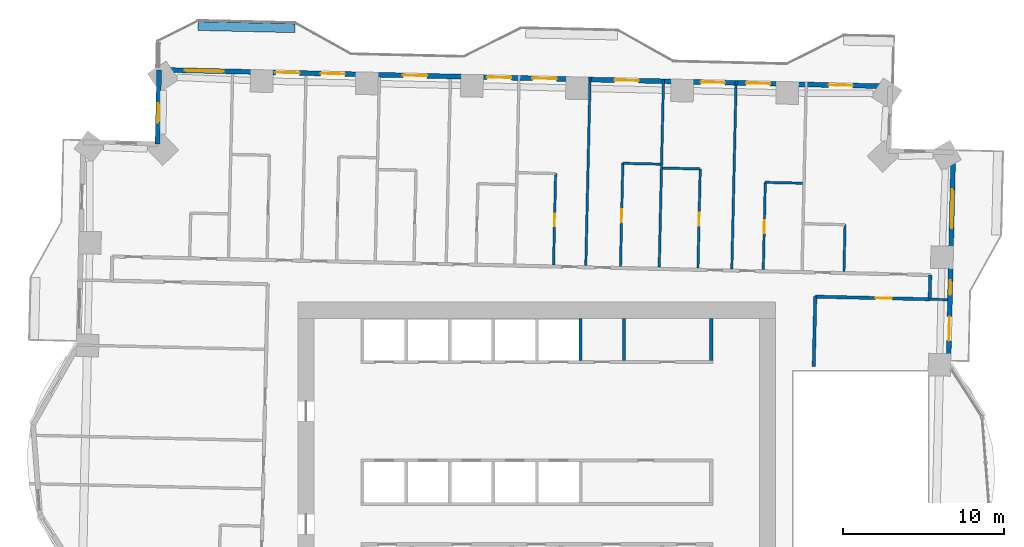
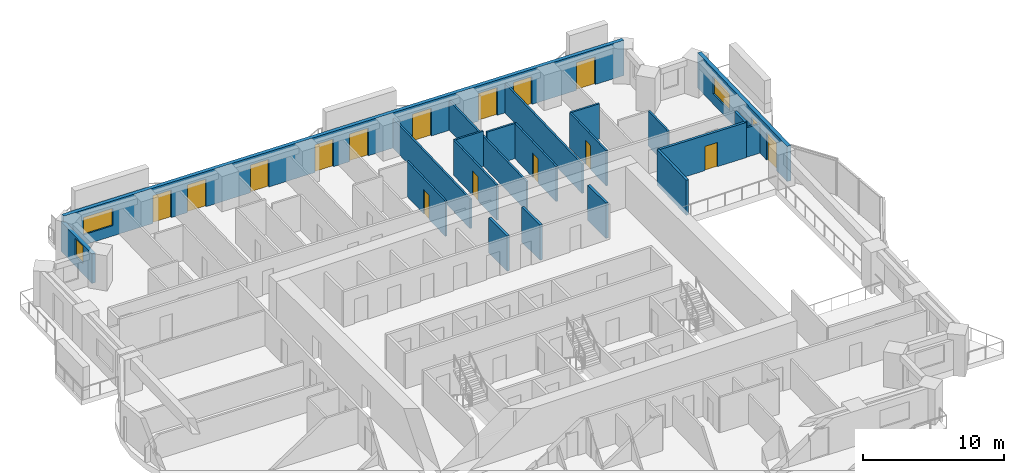
# One storey, part 11 of 16: 22 walls, 15 doors, 4 windows, 19 openings.
"""IFC4 building model written with IfcOpenShell, lengths in metres."""

from ifc_helpers import new_model, si_unit, direction, frame, frame_2d, origin, place, context, subcontext, project, spatial, rectangle, extrude, material, layer, layer_set, type_object, element, fill, save


model = new_model("IFC4")

# Units and contexts
model_context = context("Model", 3, precision=1e-05, world=origin(), true_north=direction((0.0, 1.0)))
body_context = subcontext(model_context, "Body", "Model", "MODEL_VIEW")
ifc_project = project(units=[si_unit("LENGTHUNIT", "METRE"), si_unit("AREAUNIT", "SQUARE_METRE"), si_unit("VOLUMEUNIT", "CUBIC_METRE"), si_unit("PLANEANGLEUNIT", "RADIAN"), si_unit("MASSUNIT", "GRAM", prefix="KILO")], contexts=[model_context])

# Site, building, storey
site_placement = place(None, origin())
site = spatial("IfcSite", under=ifc_project, at=site_placement, CompositionType="ELEMENT")
building_placement = place(site_placement, origin())
building = spatial("IfcBuilding", under=site, at=building_placement, Name="Mangrove Gate Tower", CompositionType="ELEMENT")
storey_placement = place(building_placement, frame((0.0, 0.0, 101.89990234375)))
storey = spatial("IfcBuildingStorey", under=building, at=storey_placement, Name="L25", CompositionType="ELEMENT", Elevation=101.89990234375)

# Walls
ifc_material_1 = material(Name="Concrete C32/40", Category="concrete")
ifc_layer_1 = layer(ifc_material_1, 0.199951171875)
ifc_layer_set_1 = layer_set([ifc_layer_1], Name="Core room wall 200 C32/40")
wall_type_1 = type_object("IfcWallType", Name="Core room wall 200 C32/40", PredefinedType="STANDARD", material=ifc_layer_set_1)
for number, where, z_axis, x_axis, name in (
    (1, (5.39990234375, 8.199951171875, 0.0), (0.0, 0.0, 1.0), (0.0, 1.0, 0.0), "WALL-L25-CORE-32"),
    (2, (10.800048828125, 8.199951171875, 0.0), (0.0, 0.0, 1.0), (0.0, 1.0, 0.0), "WALL-L25-CORE-33"),
):
    element("IfcWall", number, at=place(storey_placement, frame(where, z_axis=z_axis, x_axis=x_axis)), inside=storey, type_object=wall_type_1, Name=name, PredefinedType="STANDARD", context=body_context, shape_type="SweptSolid", body=[
        extrude(rectangle(XDim=2.60009765625, YDim=0.199951171875, at=frame_2d((1.300048828125, 0.0))), origin(), (0.0, 0.0, 1.0), 3.050048828125),
    ])
ifc_material_2 = material(Name="Concrete C70/85", Category="concrete")
ifc_layer_2 = layer(ifc_material_2, 0.199951171875)
ifc_layer_set_2 = layer_set([ifc_layer_2], Name="Core shaft wall 200 C70/85")
wall_type_2 = type_object("IfcWallType", Name="Core shaft wall 200 C70/85", PredefinedType="SHEAR", material=ifc_layer_set_2)
wall_1_placement = place(storey_placement, frame((2.699951171875, 8.199951171875, 0.0), z_axis=(0.0, 0.0, 1.0), x_axis=(0.0, 1.0, 0.0)))
element("IfcWall", 3, at=wall_1_placement, inside=storey, type_object=wall_type_2, Name="WALL-L25-CORE-31", PredefinedType="SHEAR", context=body_context, shape_type="SweptSolid", body=[
    extrude(rectangle(XDim=2.60009765625, YDim=0.199951171875, at=frame_2d((1.300048828125, 0.0))), origin(), (0.0, 0.0, 1.0), 3.050048828125),
])
ifc_material_3 = material(Name="Gypsum board on steel stud, EI 60", Category="steel")
ifc_layer_3 = layer(ifc_material_3, 0.199951171875)
ifc_layer_set_3 = layer_set([ifc_layer_3], Name="Corridor wall EI 60")
wall_type_3 = type_object("IfcWallType", Name="Corridor wall EI 60", PredefinedType="PARTITIONING", material=ifc_layer_set_3)
wall_2_placement = place(storey_placement, frame((17.155029296875, 7.81396484375, 0.0), z_axis=(0.0, 0.0, 1.0), x_axis=(0.022578158225, 0.999745080894, 0.0)))
element("IfcWall", 4, at=wall_2_placement, inside=storey, type_object=wall_type_3, Name="WALL-L25-037", PredefinedType="PARTITIONING", context=body_context, shape_type="SweptSolid", body=[
    extrude(rectangle(XDim=4.336181640625, YDim=0.199951171875, at=frame_2d((2.16796875, 0.0))), origin(), (0.0, 0.0, 1.0), 3.050048828125),
])

# Wall, opening, door
wall_3_placement = place(storey_placement, frame((17.248046875, 12.14501953125, 0.0), z_axis=(0.0, 0.0, 1.0), x_axis=(0.999742350192, -0.022698749566, 0.0)))
wall_3 = element("IfcWall", 5, at=wall_3_placement, inside=storey, type_object=wall_type_3, Name="WALL-L25-041", PredefinedType="PARTITIONING", context=body_context, shape_type="SweptSolid", body=[
    extrude(rectangle(XDim=7.0986328125, YDim=0.199951171875, at=frame_2d((3.54931640625, 0.0))), origin(), (0.0, 0.0, 1.0), 3.050048828125),
])
opening_1_placement = place(wall_3_placement, frame((3.75, 0.0, 0.0)))
opening_1 = element("IfcOpeningElement", 6, at=opening_1_placement, cuts=wall_3, Name="Opening AD", PredefinedType="OPENING", context=body_context, shape_type="SweptSolid", body=[
    extrude(rectangle(XDim=1.0, YDim=2.10009765625, at=frame_2d((0.5, 1.050048828125))), frame((0.0, 0.10986328125, 0.0), z_axis=(0.0, -1.0, 0.0), x_axis=(1.0, 0.0, 0.0)), (0.0, 0.0, 1.0), 0.219970703125),
])
ifc_material_4 = material(Name="Timber door leaf", Category="wood")
door_type_1 = type_object("IfcDoorType", Name="Amenity door 1000", OperationType="SINGLE_SWING_LEFT", PredefinedType="DOOR", material=ifc_material_4)
door_1_placement = place(opening_1_placement, origin())
door_1 = element("IfcDoor", 7, at=door_1_placement, inside=storey, type_object=door_type_1, Name="DOOR-L25-GAM-c3a", OperationType="SINGLE_SWING_RIGHT", OverallHeight=2.10009765625, OverallWidth=1.0, PredefinedType="DOOR", context=body_context, shape_type="SweptSolid", body=[
    extrude(rectangle(XDim=1.0, YDim=2.10009765625, at=frame_2d((0.5, 1.050048828125))), frame((0.0, 0.02490234375, 0.0), z_axis=(0.0, -1.0, 0.0), x_axis=(1.0, 0.0, 0.0)), (0.0, 0.0, 1.0), 0.050048828125),
])
fill(opening_1, door_1)

# Wall
wall_4_placement = place(storey_placement, frame((24.341064453125, 11.988037109375, 0.0), z_axis=(0.0, 0.0, 1.0), x_axis=(0.022617910375, 0.999744182344, 0.0)))
element("IfcWall", 8, at=wall_4_placement, inside=storey, type_object=wall_type_3, Name="WALL-L25-044", PredefinedType="PARTITIONING", context=body_context, shape_type="SweptSolid", body=[
    extrude(rectangle(XDim=1.50048828125, YDim=0.199951171875, at=frame_2d((0.750244140625, 0.0))), origin(), (0.0, 0.0, 1.0), 3.050048828125),
])

# Wall, openings, door, windows
ifc_material_5 = material(Name="Limestone", Category="masonry")
ifc_layer_4 = layer(ifc_material_5, 0.0400390625, Name="Limestone cladding")
ifc_material_6 = material(Name="Ventilated air gap")
ifc_layer_5 = layer(ifc_material_6, 0.0400390625, Name="Ventilated cavity")
ifc_material_7 = material(Name="Mineral wool insulation")
ifc_layer_6 = layer(ifc_material_7, 0.06005859375, Name="Insulation")
ifc_material_8 = material(Name="Breather membrane")
ifc_layer_7 = layer(ifc_material_8, 0.001953125, Name="Breather membrane")
ifc_material_9 = material(Name="Concrete C20/25 blockwork", Category="masonry")
ifc_layer_8 = layer(ifc_material_9, 0.14990234375, Name="Blockwork backing wall")
ifc_material_10 = material(Name="Gypsum plaster")
ifc_layer_9 = layer(ifc_material_10, 0.008056640625, Name="Internal plaster")
ifc_layer_set_4 = layer_set([ifc_layer_4, ifc_layer_5, ifc_layer_6, ifc_layer_7, ifc_layer_8, ifc_layer_9], Name="External wall 300 limestone cladding")
wall_type_4 = type_object("IfcWallType", Name="External wall 300 limestone cladding", PredefinedType="SOLIDWALL", material=ifc_layer_set_4)
wall_5_placement = place(storey_placement, frame((25.501953125, 7.85693359375, 0.0), z_axis=(0.0, 0.0, 1.0), x_axis=(0.022680323815, 0.999742768372, 0.0)))
wall_5 = element("IfcWall", 9, at=wall_5_placement, inside=storey, type_object=wall_type_4, Name="WALL-L25-E2", PredefinedType="SOLIDWALL", context=body_context, shape_type="SweptSolid", body=[
    extrude(rectangle(XDim=13.2294921875, YDim=0.300048828125, at=frame_2d((6.61474609375, 0.0))), origin(), (0.0, 0.0, 1.0), 3.050048828125),
])
opening_2_placement = place(wall_5_placement, frame((1.553955078125, 0.0, 0.0)))
opening_2 = element("IfcOpeningElement", 10, at=opening_2_placement, cuts=wall_5, Name="Opening BD1", PredefinedType="OPENING", context=body_context, shape_type="SweptSolid", body=[
    extrude(rectangle(XDim=1.5, YDim=2.39990234375, at=frame_2d((0.75, 1.199951171875))), frame((0.0, 0.159912109375, 0.0), z_axis=(0.0, -1.0, 0.0), x_axis=(1.0, 0.0, 0.0)), (0.0, 0.0, 1.0), 0.320068359375),
])
opening_3_placement = place(wall_5_placement, frame((4.403076171875, 0.0, 0.89990234375)))
opening_3 = element("IfcOpeningElement", 11, at=opening_3_placement, cuts=wall_5, Name="Opening W5", PredefinedType="OPENING", context=body_context, shape_type="SweptSolid", body=[
    extrude(rectangle(XDim=0.89990234375, YDim=1.5, at=frame_2d((0.449951171875, 0.75))), frame((0.0, 0.159912109375, 0.0), z_axis=(0.0, -1.0, 0.0), x_axis=(1.0, 0.0, 0.0)), (0.0, 0.0, 1.0), 0.320068359375),
])
opening_4_placement = place(wall_5_placement, frame((8.5380859375, 0.0, 0.89990234375)))
opening_4 = element("IfcOpeningElement", 12, at=opening_4_placement, cuts=wall_5, Name="Opening W2", PredefinedType="OPENING", context=body_context, shape_type="SweptSolid", body=[
    extrude(rectangle(XDim=2.39990234375, YDim=1.5, at=frame_2d((1.199951171875, 0.75))), frame((0.0, 0.159912109375, 0.0), z_axis=(0.0, -1.0, 0.0), x_axis=(1.0, 0.0, 0.0)), (0.0, 0.0, 1.0), 0.320068359375),
])
ifc_material_11 = material(Name="Aluminium frame with laminated clear glass", Category="aluminium")
door_type_2 = type_object("IfcDoorType", Name="Balcony sliding door 1500x2400", OperationType="SLIDING_TO_LEFT", PredefinedType="DOOR", material=ifc_material_11)
door_2_placement = place(opening_2_placement, origin())
door_2 = element("IfcDoor", 13, at=door_2_placement, inside=storey, type_object=door_type_2, Name="DOOR-L25-E2-1", OperationType="SLIDING_TO_LEFT", OverallHeight=2.39990234375, OverallWidth=1.5, PredefinedType="DOOR", context=body_context, shape_type="SweptSolid", body=[
    extrude(rectangle(XDim=1.5, YDim=2.39990234375, at=frame_2d((0.75, 1.199951171875))), frame((0.0, 0.02490234375, 0.0), z_axis=(0.0, -1.0, 0.0), x_axis=(1.0, 0.0, 0.0)), (0.0, 0.0, 1.0), 0.050048828125),
])
fill(opening_2, door_2)
ifc_material_12 = material(Name="Aluminium frame with double-glazed low-e glass", Category="aluminium")
window_type_1 = type_object("IfcWindowType", Name="Corner room window 2400x1500", PartitioningType="DOUBLE_PANEL_VERTICAL", PredefinedType="WINDOW", material=ifc_material_12)
window_1_placement = place(opening_4_placement, origin())
window_1 = element("IfcWindow", 14, at=window_1_placement, inside=storey, type_object=window_type_1, Name="WIN-L25-E2-3", OverallHeight=1.5, OverallWidth=2.39990234375, PartitioningType="DOUBLE_PANEL_VERTICAL", PredefinedType="WINDOW", context=body_context, shape_type="SweptSolid", body=[
    extrude(rectangle(XDim=2.39990234375, YDim=1.5, at=frame_2d((1.199951171875, 0.75))), frame((0.0, 0.030029296875, 0.0), z_axis=(0.0, -1.0, 0.0), x_axis=(1.0, 0.0, 0.0)), (0.0, 0.0, 1.0), 0.06005859375),
])
fill(opening_4, window_1)
ifc_material_13 = material(Name="Aluminium frame with double-glazed low-e glass", Category="aluminium")
window_type_2 = type_object("IfcWindowType", Name="Narrow window 900x1500", PartitioningType="SINGLE_PANEL", PredefinedType="WINDOW", material=ifc_material_13)
window_2_placement = place(opening_3_placement, origin())
window_2 = element("IfcWindow", 15, at=window_2_placement, inside=storey, type_object=window_type_2, Name="WIN-L25-E2-2", OverallHeight=1.5, OverallWidth=0.89990234375, PartitioningType="SINGLE_PANEL", PredefinedType="WINDOW", context=body_context, shape_type="SweptSolid", body=[
    extrude(rectangle(XDim=0.89990234375, YDim=1.5, at=frame_2d((0.449951171875, 0.75))), frame((0.0, 0.030029296875, 0.0), z_axis=(0.0, -1.0, 0.0), x_axis=(1.0, 0.0, 0.0)), (0.0, 0.0, 1.0), 0.06005859375),
])
fill(opening_3, window_2)

# Wall, openings, doors, window
wall_6_placement = place(storey_placement, frame((21.89404296875, 25.173095703125, 0.0), z_axis=(0.0, 0.0, 1.0), x_axis=(-0.999742661083, 0.022685052594, 0.0)))
wall_6 = element("IfcWall", 16, at=wall_6_placement, inside=storey, type_object=wall_type_4, Name="WALL-L25-N5", PredefinedType="SOLIDWALL", context=body_context, shape_type="SweptSolid", body=[
    extrude(rectangle(XDim=45.308837890625, YDim=0.300048828125, at=frame_2d((22.654296875, 0.0))), origin(), (0.0, 0.0, 1.0), 3.050048828125),
])
opening_5_placement = place(wall_6_placement, frame((2.319091796875, 0.0, 0.0)))
opening_5 = element("IfcOpeningElement", 17, at=opening_5_placement, cuts=wall_6, Name="Opening BD1", PredefinedType="OPENING", context=body_context, shape_type="SweptSolid", body=[
    extrude(rectangle(XDim=1.5, YDim=2.39990234375, at=frame_2d((0.75, 1.199951171875))), frame((0.0, 0.159912109375, 0.0), z_axis=(0.0, -1.0, 0.0), x_axis=(1.0, 0.0, 0.0)), (0.0, 0.0, 1.0), 0.320068359375),
])
opening_6_placement = place(wall_6_placement, frame((7.43701171875, 0.0, 0.0)))
opening_6 = element("IfcOpeningElement", 18, at=opening_6_placement, cuts=wall_6, Name="Opening BD1", PredefinedType="OPENING", context=body_context, shape_type="SweptSolid", body=[
    extrude(rectangle(XDim=1.5, YDim=2.39990234375, at=frame_2d((0.75, 1.199951171875))), frame((0.0, 0.159912109375, 0.0), z_axis=(0.0, -1.0, 0.0), x_axis=(1.0, 0.0, 0.0)), (0.0, 0.0, 1.0), 0.320068359375),
])
opening_7_placement = place(wall_6_placement, frame((10.243896484375, 0.0, 0.0)))
opening_7 = element("IfcOpeningElement", 19, at=opening_7_placement, cuts=wall_6, Name="Opening BD1", PredefinedType="OPENING", context=body_context, shape_type="SweptSolid", body=[
    extrude(rectangle(XDim=1.5, YDim=2.39990234375, at=frame_2d((0.75, 1.199951171875))), frame((0.0, 0.159912109375, 0.0), z_axis=(0.0, -1.0, 0.0), x_axis=(1.0, 0.0, 0.0)), (0.0, 0.0, 1.0), 0.320068359375),
])
opening_8_placement = place(wall_6_placement, frame((15.5830078125, 0.0, 0.0)))
opening_8 = element("IfcOpeningElement", 20, at=opening_8_placement, cuts=wall_6, Name="Opening BD1", PredefinedType="OPENING", context=body_context, shape_type="SweptSolid", body=[
    extrude(rectangle(XDim=1.5, YDim=2.39990234375, at=frame_2d((0.75, 1.199951171875))), frame((0.0, 0.159912109375, 0.0), z_axis=(0.0, -1.0, 0.0), x_axis=(1.0, 0.0, 0.0)), (0.0, 0.0, 1.0), 0.320068359375),
])
opening_9_placement = place(wall_6_placement, frame((20.677001953125, 0.0, 0.0)))
opening_9 = element("IfcOpeningElement", 21, at=opening_9_placement, cuts=wall_6, Name="Opening BD1", PredefinedType="OPENING", context=body_context, shape_type="SweptSolid", body=[
    extrude(rectangle(XDim=1.5, YDim=2.39990234375, at=frame_2d((0.75, 1.199951171875))), frame((0.0, 0.159912109375, 0.0), z_axis=(0.0, -1.0, 0.0), x_axis=(1.0, 0.0, 0.0)), (0.0, 0.0, 1.0), 0.320068359375),
])
opening_10_placement = place(wall_6_placement, frame((23.485107421875, 0.0, 0.0)))
opening_10 = element("IfcOpeningElement", 22, at=opening_10_placement, cuts=wall_6, Name="Opening BD1", PredefinedType="OPENING", context=body_context, shape_type="SweptSolid", body=[
    extrude(rectangle(XDim=1.5, YDim=2.39990234375, at=frame_2d((0.75, 1.199951171875))), frame((0.0, 0.159912109375, 0.0), z_axis=(0.0, -1.0, 0.0), x_axis=(1.0, 0.0, 0.0)), (0.0, 0.0, 1.0), 0.320068359375),
])
opening_11_placement = place(wall_6_placement, frame((28.7080078125, 0.0, 0.0)))
opening_11 = element("IfcOpeningElement", 23, at=opening_11_placement, cuts=wall_6, Name="Opening BD1", PredefinedType="OPENING", context=body_context, shape_type="SweptSolid", body=[
    extrude(rectangle(XDim=1.5, YDim=2.39990234375, at=frame_2d((0.75, 1.199951171875))), frame((0.0, 0.159912109375, 0.0), z_axis=(0.0, -1.0, 0.0), x_axis=(1.0, 0.0, 0.0)), (0.0, 0.0, 1.0), 0.320068359375),
])
opening_12_placement = place(wall_6_placement, frame((33.79296875, 0.0, 0.0)))
opening_12 = element("IfcOpeningElement", 24, at=opening_12_placement, cuts=wall_6, Name="Opening BD1", PredefinedType="OPENING", context=body_context, shape_type="SweptSolid", body=[
    extrude(rectangle(XDim=1.5, YDim=2.39990234375, at=frame_2d((0.75, 1.199951171875))), frame((0.0, 0.159912109375, 0.0), z_axis=(0.0, -1.0, 0.0), x_axis=(1.0, 0.0, 0.0)), (0.0, 0.0, 1.0), 0.320068359375),
])
opening_13_placement = place(wall_6_placement, frame((36.60009765625, 0.0, 0.0)))
opening_13 = element("IfcOpeningElement", 25, at=opening_13_placement, cuts=wall_6, Name="Opening BD1", PredefinedType="OPENING", context=body_context, shape_type="SweptSolid", body=[
    extrude(rectangle(XDim=1.5, YDim=2.39990234375, at=frame_2d((0.75, 1.199951171875))), frame((0.0, 0.159912109375, 0.0), z_axis=(0.0, -1.0, 0.0), x_axis=(1.0, 0.0, 0.0)), (0.0, 0.0, 1.0), 0.320068359375),
])
opening_14_placement = place(wall_6_placement, frame((41.318115234375, 0.0, 0.89990234375)))
opening_14 = element("IfcOpeningElement", 26, at=opening_14_placement, cuts=wall_6, Name="Opening W2", PredefinedType="OPENING", context=body_context, shape_type="SweptSolid", body=[
    extrude(rectangle(XDim=2.39990234375, YDim=1.5, at=frame_2d((1.199951171875, 0.75))), frame((0.0, 0.159912109375, 0.0), z_axis=(0.0, -1.0, 0.0), x_axis=(1.0, 0.0, 0.0)), (0.0, 0.0, 1.0), 0.320068359375),
])
door_3_placement = place(opening_5_placement, origin())
door_3 = element("IfcDoor", 27, at=door_3_placement, inside=storey, type_object=door_type_2, Name="DOOR-L25-N5-1", OperationType="SLIDING_TO_LEFT", OverallHeight=2.39990234375, OverallWidth=1.5, PredefinedType="DOOR", context=body_context, shape_type="SweptSolid", body=[
    extrude(rectangle(XDim=1.5, YDim=2.39990234375, at=frame_2d((0.75, 1.199951171875))), frame((0.0, 0.02490234375, 0.0), z_axis=(0.0, -1.0, 0.0), x_axis=(1.0, 0.0, 0.0)), (0.0, 0.0, 1.0), 0.050048828125),
])
fill(opening_5, door_3)
door_4_placement = place(opening_6_placement, origin())
door_4 = element("IfcDoor", 28, at=door_4_placement, inside=storey, type_object=door_type_2, Name="DOOR-L25-N5-2", OperationType="SLIDING_TO_LEFT", OverallHeight=2.39990234375, OverallWidth=1.5, PredefinedType="DOOR", context=body_context, shape_type="SweptSolid", body=[
    extrude(rectangle(XDim=1.5, YDim=2.39990234375, at=frame_2d((0.75, 1.199951171875))), frame((0.0, 0.02490234375, 0.0), z_axis=(0.0, -1.0, 0.0), x_axis=(1.0, 0.0, 0.0)), (0.0, 0.0, 1.0), 0.050048828125),
])
fill(opening_6, door_4)
door_5_placement = place(opening_7_placement, origin())
door_5 = element("IfcDoor", 29, at=door_5_placement, inside=storey, type_object=door_type_2, Name="DOOR-L25-N5-3", OperationType="SLIDING_TO_LEFT", OverallHeight=2.39990234375, OverallWidth=1.5, PredefinedType="DOOR", context=body_context, shape_type="SweptSolid", body=[
    extrude(rectangle(XDim=1.5, YDim=2.39990234375, at=frame_2d((0.75, 1.199951171875))), frame((0.0, 0.02490234375, 0.0), z_axis=(0.0, -1.0, 0.0), x_axis=(1.0, 0.0, 0.0)), (0.0, 0.0, 1.0), 0.050048828125),
])
fill(opening_7, door_5)
door_6_placement = place(opening_8_placement, origin())
door_6 = element("IfcDoor", 30, at=door_6_placement, inside=storey, type_object=door_type_2, Name="DOOR-L25-N5-4", OperationType="SLIDING_TO_LEFT", OverallHeight=2.39990234375, OverallWidth=1.5, PredefinedType="DOOR", context=body_context, shape_type="SweptSolid", body=[
    extrude(rectangle(XDim=1.5, YDim=2.39990234375, at=frame_2d((0.75, 1.199951171875))), frame((0.0, 0.02490234375, 0.0), z_axis=(0.0, -1.0, 0.0), x_axis=(1.0, 0.0, 0.0)), (0.0, 0.0, 1.0), 0.050048828125),
])
fill(opening_8, door_6)
door_7_placement = place(opening_9_placement, origin())
door_7 = element("IfcDoor", 31, at=door_7_placement, inside=storey, type_object=door_type_2, Name="DOOR-L25-N5-5", OperationType="SLIDING_TO_LEFT", OverallHeight=2.39990234375, OverallWidth=1.5, PredefinedType="DOOR", context=body_context, shape_type="SweptSolid", body=[
    extrude(rectangle(XDim=1.5, YDim=2.39990234375, at=frame_2d((0.75, 1.199951171875))), frame((0.0, 0.02490234375, 0.0), z_axis=(0.0, -1.0, 0.0), x_axis=(1.0, 0.0, 0.0)), (0.0, 0.0, 1.0), 0.050048828125),
])
fill(opening_9, door_7)
door_8_placement = place(opening_10_placement, origin())
door_8 = element("IfcDoor", 32, at=door_8_placement, inside=storey, type_object=door_type_2, Name="DOOR-L25-N5-6", OperationType="SLIDING_TO_LEFT", OverallHeight=2.39990234375, OverallWidth=1.5, PredefinedType="DOOR", context=body_context, shape_type="SweptSolid", body=[
    extrude(rectangle(XDim=1.5, YDim=2.39990234375, at=frame_2d((0.75, 1.199951171875))), frame((0.0, 0.02490234375, 0.0), z_axis=(0.0, -1.0, 0.0), x_axis=(1.0, 0.0, 0.0)), (0.0, 0.0, 1.0), 0.050048828125),
])
fill(opening_10, door_8)
door_9_placement = place(opening_11_placement, origin())
door_9 = element("IfcDoor", 33, at=door_9_placement, inside=storey, type_object=door_type_2, Name="DOOR-L25-N5-7", OperationType="SLIDING_TO_LEFT", OverallHeight=2.39990234375, OverallWidth=1.5, PredefinedType="DOOR", context=body_context, shape_type="SweptSolid", body=[
    extrude(rectangle(XDim=1.5, YDim=2.39990234375, at=frame_2d((0.75, 1.199951171875))), frame((0.0, 0.02490234375, 0.0), z_axis=(0.0, -1.0, 0.0), x_axis=(1.0, 0.0, 0.0)), (0.0, 0.0, 1.0), 0.050048828125),
])
fill(opening_11, door_9)
door_10_placement = place(opening_12_placement, origin())
door_10 = element("IfcDoor", 34, at=door_10_placement, inside=storey, type_object=door_type_2, Name="DOOR-L25-N5-8", OperationType="SLIDING_TO_LEFT", OverallHeight=2.39990234375, OverallWidth=1.5, PredefinedType="DOOR", context=body_context, shape_type="SweptSolid", body=[
    extrude(rectangle(XDim=1.5, YDim=2.39990234375, at=frame_2d((0.75, 1.199951171875))), frame((0.0, 0.02490234375, 0.0), z_axis=(0.0, -1.0, 0.0), x_axis=(1.0, 0.0, 0.0)), (0.0, 0.0, 1.0), 0.050048828125),
])
fill(opening_12, door_10)
door_11_placement = place(opening_13_placement, origin())
door_11 = element("IfcDoor", 35, at=door_11_placement, inside=storey, type_object=door_type_2, Name="DOOR-L25-N5-9", OperationType="SLIDING_TO_LEFT", OverallHeight=2.39990234375, OverallWidth=1.5, PredefinedType="DOOR", context=body_context, shape_type="SweptSolid", body=[
    extrude(rectangle(XDim=1.5, YDim=2.39990234375, at=frame_2d((0.75, 1.199951171875))), frame((0.0, 0.02490234375, 0.0), z_axis=(0.0, -1.0, 0.0), x_axis=(1.0, 0.0, 0.0)), (0.0, 0.0, 1.0), 0.050048828125),
])
fill(opening_13, door_11)
window_3_placement = place(opening_14_placement, origin())
window_3 = element("IfcWindow", 36, at=window_3_placement, inside=storey, type_object=window_type_1, Name="WIN-L25-N5-10", OverallHeight=1.5, OverallWidth=2.39990234375, PartitioningType="DOUBLE_PANEL_VERTICAL", PredefinedType="WINDOW", context=body_context, shape_type="SweptSolid", body=[
    extrude(rectangle(XDim=2.39990234375, YDim=1.5, at=frame_2d((1.199951171875, 0.75))), frame((0.0, 0.030029296875, 0.0), z_axis=(0.0, -1.0, 0.0), x_axis=(1.0, 0.0, 0.0)), (0.0, 0.0, 1.0), 0.06005859375),
])
fill(opening_14, window_3)

# Wall, opening, window
wall_7_placement = place(storey_placement, frame((-23.403076171875, 26.200927734375, 0.0), z_axis=(0.0, 0.0, 1.0), x_axis=(-0.022609285172, -0.999744377441, 0.0)))
wall_7 = element("IfcWall", 37, at=wall_7_placement, inside=storey, type_object=wall_type_4, Name="WALL-L25-W6", PredefinedType="SOLIDWALL", context=body_context, shape_type="SweptSolid", body=[
    extrude(rectangle(XDim=4.60009765625, YDim=0.300048828125, at=frame_2d((2.300048828125, 0.0))), origin(), (0.0, 0.0, 1.0), 2.550048828125),
])
opening_15_placement = place(wall_7_placement, frame((2.075927734375, 0.0, 0.89990234375)))
opening_15 = element("IfcOpeningElement", 38, at=opening_15_placement, cuts=wall_7, Name="Opening W1", PredefinedType="OPENING", context=body_context, shape_type="SweptSolid", body=[
    extrude(rectangle(XDim=1.199951171875, YDim=1.5, at=frame_2d((0.60009765625, 0.75))), frame((0.0, 0.159912109375, 0.0), z_axis=(0.0, -1.0, 0.0), x_axis=(1.0, 0.0, 0.0)), (0.0, 0.0, 1.0), 0.320068359375),
])
ifc_material_14 = material(Name="Aluminium frame with double-glazed low-e glass", Category="aluminium")
window_type_3 = type_object("IfcWindowType", Name="Side lite 1200x1500", PartitioningType="SINGLE_PANEL", PredefinedType="WINDOW", material=ifc_material_14)
window_4_placement = place(opening_15_placement, origin())
window_4 = element("IfcWindow", 39, at=window_4_placement, inside=storey, type_object=window_type_3, Name="WIN-L25-W6-1", OverallHeight=1.5, OverallWidth=1.199951171875, PartitioningType="SINGLE_PANEL", PredefinedType="WINDOW", context=body_context, shape_type="SweptSolid", body=[
    extrude(rectangle(XDim=1.199951171875, YDim=1.5, at=frame_2d((0.60009765625, 0.75))), frame((0.0, 0.030029296875, 0.0), z_axis=(0.0, -1.0, 0.0), x_axis=(1.0, 0.0, 0.0)), (0.0, 0.0, 1.0), 0.06005859375),
])
fill(opening_15, window_4)

# Wall
ifc_material_15 = material(Name="Gypsum board on steel stud, EI 60", Category="steel")
ifc_layer_10 = layer(ifc_material_15, 0.14990234375)
ifc_layer_set_5 = layer_set([ifc_layer_10], Name="Party wall 150 EI 60")
wall_type_5 = type_object("IfcWallType", Name="Party wall 150 EI 60", PredefinedType="PARTITIONING", material=ifc_layer_set_5)
wall_8_placement = place(storey_placement, frame((24.344970703125, 11.98388671875, 0.0), z_axis=(0.0, 0.0, 1.0), x_axis=(0.9997438932, -0.022630687329, 0.0)))
element("IfcWall", 40, at=wall_8_placement, inside=storey, type_object=wall_type_5, Name="WALL-L25-042", PredefinedType="PARTITIONING", context=body_context, shape_type="SweptSolid", body=[
    extrude(rectangle(XDim=1.100341796875, YDim=0.14990234375, at=frame_2d((0.55029296875, 0.0))), origin(), (0.0, 0.0, 1.0), 2.550048828125),
])

# Wall, opening, door
wall_9_placement = place(storey_placement, frame((1.033935546875, 14.116943359375, 0.0), z_axis=(0.0, 0.0, 1.0), x_axis=(0.022644004729, 0.999743591652, 0.0)))
wall_9 = element("IfcWall", 41, at=wall_9_placement, inside=storey, type_object=wall_type_5, Name="WALL-L25-056", PredefinedType="PARTITIONING", context=body_context, shape_type="SweptSolid", body=[
    extrude(rectangle(XDim=5.660400390625, YDim=0.14990234375, at=frame_2d((2.830078125, 0.0))), origin(), (0.0, 0.0, 1.0), 3.050048828125),
])
opening_16_placement = place(wall_9_placement, frame((2.3798828125, 0.0, 0.0)))
opening_16 = element("IfcOpeningElement", 42, at=opening_16_placement, cuts=wall_9, Name="Opening ED", PredefinedType="OPENING", context=body_context, shape_type="SweptSolid", body=[
    extrude(rectangle(XDim=0.800048828125, YDim=2.10009765625, at=frame_2d((0.39990234375, 1.050048828125))), frame((0.0, 0.0849609375, 0.0), z_axis=(0.0, -1.0, 0.0), x_axis=(1.0, 0.0, 0.0)), (0.0, 0.0, 1.0), 0.169921875),
])
ifc_material_16 = material(Name="Timber door leaf", Category="wood")
door_type_3 = type_object("IfcDoorType", Name="En-suite door 800", OperationType="SINGLE_SWING_LEFT", PredefinedType="DOOR", material=ifc_material_16)
door_12_placement = place(opening_16_placement, origin())
door_12 = element("IfcDoor", 43, at=door_12_placement, inside=storey, type_object=door_type_3, Name="DOOR-L25-ENS-c411", OperationType="SINGLE_SWING_LEFT", OverallHeight=2.10009765625, OverallWidth=0.800048828125, PredefinedType="DOOR", context=body_context, shape_type="SweptSolid", body=[
    extrude(rectangle(XDim=0.800048828125, YDim=2.10009765625, at=frame_2d((0.39990234375, 1.050048828125))), frame((0.0, 0.02490234375, 0.0), z_axis=(0.0, -1.0, 0.0), x_axis=(1.0, 0.0, 0.0)), (0.0, 0.0, 1.0), 0.050048828125),
])
fill(opening_16, door_12)

# Wall
wall_10_placement = place(storey_placement, frame((3.032958984375, 14.072021484375, 0.0), z_axis=(0.0, 0.0, 1.0), x_axis=(0.022707631257, 0.999742148498, 0.0)))
element("IfcWall", 44, at=wall_10_placement, inside=storey, type_object=wall_type_5, Name="WALL-L25-057", PredefinedType="PARTITIONING", context=body_context, shape_type="SweptSolid", body=[
    extrude(rectangle(XDim=11.676025390625, YDim=0.14990234375, at=frame_2d((5.837890625, 0.0))), origin(), (0.0, 0.0, 1.0), 2.550048828125),
])

# Wall, opening, door
wall_11_placement = place(storey_placement, frame((5.181884765625, 14.02294921875, 0.0), z_axis=(0.0, 0.0, 1.0), x_axis=(0.022691900969, 0.999742505664, 0.0)))
wall_11 = element("IfcWall", 45, at=wall_11_placement, inside=storey, type_object=wall_type_5, Name="WALL-L25-058", PredefinedType="PARTITIONING", context=body_context, shape_type="SweptSolid", body=[
    extrude(rectangle(XDim=6.390869140625, YDim=0.14990234375, at=frame_2d((3.1953125, 0.0))), origin(), (0.0, 0.0, 1.0), 3.050048828125),
])
opening_17_placement = place(wall_11_placement, frame((2.7451171875, 0.0, 0.0)))
opening_17 = element("IfcOpeningElement", 46, at=opening_17_placement, cuts=wall_11, Name="Opening ED", PredefinedType="OPENING", context=body_context, shape_type="SweptSolid", body=[
    extrude(rectangle(XDim=0.800048828125, YDim=2.10009765625, at=frame_2d((0.39990234375, 1.050048828125))), frame((0.0, 0.0849609375, 0.0), z_axis=(0.0, -1.0, 0.0), x_axis=(1.0, 0.0, 0.0)), (0.0, 0.0, 1.0), 0.169921875),
])
door_13_placement = place(opening_17_placement, origin())
door_13 = element("IfcDoor", 47, at=door_13_placement, inside=storey, type_object=door_type_3, Name="DOOR-L25-ENS-c410", OperationType="SINGLE_SWING_RIGHT", OverallHeight=2.10009765625, OverallWidth=0.800048828125, PredefinedType="DOOR", context=body_context, shape_type="SweptSolid", body=[
    extrude(rectangle(XDim=0.800048828125, YDim=2.10009765625, at=frame_2d((0.39990234375, 1.050048828125))), frame((0.0, 0.02490234375, 0.0), z_axis=(0.0, -1.0, 0.0), x_axis=(1.0, 0.0, 0.0)), (0.0, 0.0, 1.0), 0.050048828125),
])
fill(opening_17, door_13)

# Wall
wall_12_placement = place(storey_placement, frame((7.58203125, 13.968994140625, 0.0), z_axis=(0.0, 0.0, 1.0), x_axis=(0.022686732602, 0.99974262296, 0.0)))
element("IfcWall", 48, at=wall_12_placement, inside=storey, type_object=wall_type_5, Name="WALL-L25-059", PredefinedType="PARTITIONING", context=body_context, shape_type="SweptSolid", body=[
    extrude(rectangle(XDim=11.676025390625, YDim=0.14990234375, at=frame_2d((5.837890625, 0.0))), origin(), (0.0, 0.0, 1.0), 2.550048828125),
])

# Wall, opening, door
wall_13_placement = place(storey_placement, frame((9.98095703125, 13.9140625, 0.0), z_axis=(0.0, 0.0, 1.0), x_axis=(0.022784522714, 0.999740399066, 0.0)))
wall_13 = element("IfcWall", 49, at=wall_13_placement, inside=storey, type_object=wall_type_5, Name="WALL-L25-060", PredefinedType="PARTITIONING", context=body_context, shape_type="SweptSolid", body=[
    extrude(rectangle(XDim=6.150634765625, YDim=0.14990234375, at=frame_2d((3.0751953125, 0.0))), origin(), (0.0, 0.0, 1.0), 3.050048828125),
])
opening_18_placement = place(wall_13_placement, frame((2.625, 0.0, 0.0)))
opening_18 = element("IfcOpeningElement", 50, at=opening_18_placement, cuts=wall_13, Name="Opening ED", PredefinedType="OPENING", context=body_context, shape_type="SweptSolid", body=[
    extrude(rectangle(XDim=0.800048828125, YDim=2.10009765625, at=frame_2d((0.39990234375, 1.050048828125))), frame((0.0, 0.0849609375, 0.0), z_axis=(0.0, -1.0, 0.0), x_axis=(1.0, 0.0, 0.0)), (0.0, 0.0, 1.0), 0.169921875),
])
door_14_placement = place(opening_18_placement, origin())
door_14 = element("IfcDoor", 51, at=door_14_placement, inside=storey, type_object=door_type_3, Name="DOOR-L25-ENS-c309", OperationType="SINGLE_SWING_LEFT", OverallHeight=2.10009765625, OverallWidth=0.800048828125, PredefinedType="DOOR", context=body_context, shape_type="SweptSolid", body=[
    extrude(rectangle(XDim=0.800048828125, YDim=2.10009765625, at=frame_2d((0.39990234375, 1.050048828125))), frame((0.0, 0.02490234375, 0.0), z_axis=(0.0, -1.0, 0.0), x_axis=(1.0, 0.0, 0.0)), (0.0, 0.0, 1.0), 0.050048828125),
])
fill(opening_18, door_14)

# Wall
wall_14_placement = place(storey_placement, frame((12.0810546875, 13.866943359375, 0.0), z_axis=(0.0, 0.0, 1.0), x_axis=(0.022686732602, 0.99974262296, 0.0)))
element("IfcWall", 52, at=wall_14_placement, inside=storey, type_object=wall_type_5, Name="WALL-L25-061", PredefinedType="PARTITIONING", context=body_context, shape_type="SweptSolid", body=[
    extrude(rectangle(XDim=11.676025390625, YDim=0.14990234375, at=frame_2d((5.837890625, 0.0))), origin(), (0.0, 0.0, 1.0), 2.550048828125),
])

# Wall, opening, door
wall_15_placement = place(storey_placement, frame((14.030029296875, 13.822998046875, 0.0), z_axis=(0.0, 0.0, 1.0), x_axis=(0.022747035861, 0.999741252705, 0.0)))
wall_15 = element("IfcWall", 53, at=wall_15_placement, inside=storey, type_object=wall_type_5, Name="WALL-L25-062", PredefinedType="PARTITIONING", context=body_context, shape_type="SweptSolid", body=[
    extrude(rectangle(XDim=5.409423828125, YDim=0.14990234375, at=frame_2d((2.70458984375, 0.0))), origin(), (0.0, 0.0, 1.0), 3.050048828125),
])
opening_19_placement = place(wall_15_placement, frame((2.2548828125, 0.0, 0.0)))
opening_19 = element("IfcOpeningElement", 54, at=opening_19_placement, cuts=wall_15, Name="Opening ED", PredefinedType="OPENING", context=body_context, shape_type="SweptSolid", body=[
    extrude(rectangle(XDim=0.800048828125, YDim=2.10009765625, at=frame_2d((0.39990234375, 1.050048828125))), frame((0.0, 0.0849609375, 0.0), z_axis=(0.0, -1.0, 0.0), x_axis=(1.0, 0.0, 0.0)), (0.0, 0.0, 1.0), 0.169921875),
])
door_15_placement = place(opening_19_placement, origin())
door_15 = element("IfcDoor", 55, at=door_15_placement, inside=storey, type_object=door_type_3, Name="DOOR-L25-ENS-c308", OperationType="SINGLE_SWING_RIGHT", OverallHeight=2.10009765625, OverallWidth=0.800048828125, PredefinedType="DOOR", context=body_context, shape_type="SweptSolid", body=[
    extrude(rectangle(XDim=0.800048828125, YDim=2.10009765625, at=frame_2d((0.39990234375, 1.050048828125))), frame((0.0, 0.02490234375, 0.0), z_axis=(0.0, -1.0, 0.0), x_axis=(1.0, 0.0, 0.0)), (0.0, 0.0, 1.0), 0.050048828125),
])
fill(opening_19, door_15)

# Walls
wall_16_placement = place(storey_placement, frame((19.029052734375, 13.708984375, 0.0), z_axis=(0.0, 0.0, 1.0), x_axis=(0.022732880677, 0.999741574676, 0.0)))
element("IfcWall", 56, at=wall_16_placement, inside=storey, type_object=wall_type_5, Name="WALL-L25-064", PredefinedType="PARTITIONING", context=body_context, shape_type="SweptSolid", body=[
    extrude(rectangle(XDim=2.899658203125, YDim=0.14990234375, at=frame_2d((1.44970703125, 0.0))), origin(), (0.0, 0.0, 1.0), 3.050048828125),
])
wall_17_placement = place(storey_placement, frame((14.14892578125, 19.22705078125, 0.0), z_axis=(0.0, 0.0, 1.0), x_axis=(0.999740260747, -0.02279059109, 0.0)))
element("IfcWall", 57, at=wall_17_placement, inside=storey, type_object=wall_type_5, Name="WALL-L25-068", PredefinedType="PARTITIONING", context=body_context, shape_type="SweptSolid", body=[
    extrude(rectangle(XDim=2.324462890625, YDim=0.14990234375, at=frame_2d((1.162109375, 0.0))), origin(), (0.0, 0.0, 1.0), 3.050048828125),
])
for number, where, z_axis, x_axis, name in (
    (58, (7.7919921875, 20.112060546875, 0.0), (0.0, 0.0, 1.0), (0.999740478815, -0.022781023197, 0.0), "WALL-L25-071"),
    (59, (5.322998046875, 20.407958984375, 0.0), (0.0, 0.0, 1.0), (0.999740478815, -0.022781023197, 0.0), "WALL-L25-074"),
):
    element("IfcWall", number, at=place(storey_placement, frame(where, z_axis=z_axis, x_axis=x_axis)), inside=storey, type_object=wall_type_5, Name=name, PredefinedType="PARTITIONING", context=body_context, shape_type="SweptSolid", body=[
        extrude(rectangle(XDim=2.325439453125, YDim=0.14990234375, at=frame_2d((1.16259765625, 0.0))), origin(), (0.0, 0.0, 1.0), 3.050048828125),
    ])
ifc_material_17 = material(Name="Concrete C32/40", Category="concrete")
ifc_layer_11 = layer(ifc_material_17, 0.199951171875, Name="Planter trough wall")
ifc_material_18 = material(Name="Bituminous waterproofing membrane")
ifc_layer_12 = layer(ifc_material_18, 0.0048828125, Name="Waterproofing")
ifc_material_19 = material(Name="Drainage board and gravel")
ifc_layer_13 = layer(ifc_material_19, 0.044921875, Name="Drainage layer")
ifc_material_20 = material(Name="Planting soil")
ifc_layer_14 = layer(ifc_material_20, 0.300048828125, Name="Growing medium")
ifc_layer_set_6 = layer_set([ifc_layer_11, ifc_layer_12, ifc_layer_13, ifc_layer_14], Name="Planter wall 550 C32/40")
wall_type_6 = type_object("IfcWallType", Name="Planter wall 550 C32/40", PredefinedType="USERDEFINED", material=ifc_layer_set_6)
wall_18_placement = place(storey_placement, frame((-20.986083984375, 28.912109375, 0.0), z_axis=(0.0, 0.0, 1.0), x_axis=(0.999742171567, -0.022706615587, 0.0)))
element("IfcWall", 60, at=wall_18_placement, inside=storey, type_object=wall_type_6, Name="PLANTER L25 N1.1", ObjectType="PLANTER", PredefinedType="USERDEFINED", context=body_context, shape_type="SweptSolid", body=[
    extrude(rectangle(XDim=5.99951171875, YDim=0.550048828125, at=frame_2d((2.999755859375, 0.0))), origin(), (0.0, 0.0, 1.0), 0.800048828125),
])

save(model, "model.ifc")
